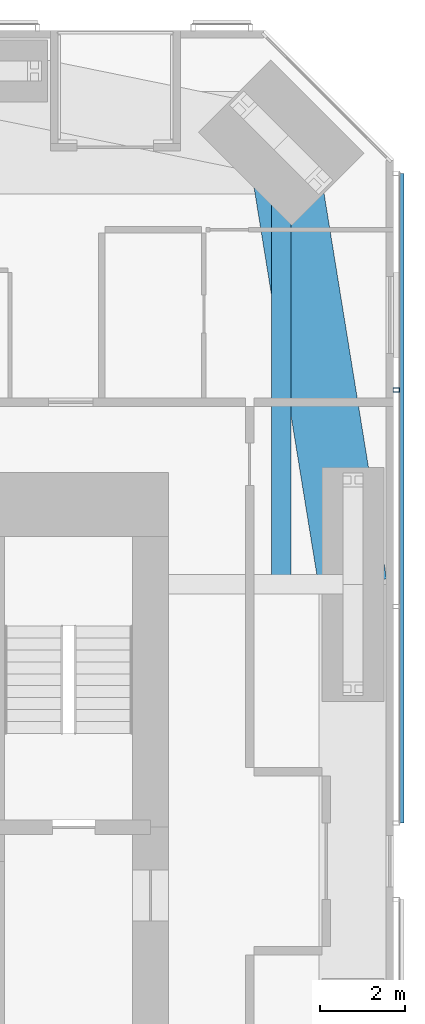
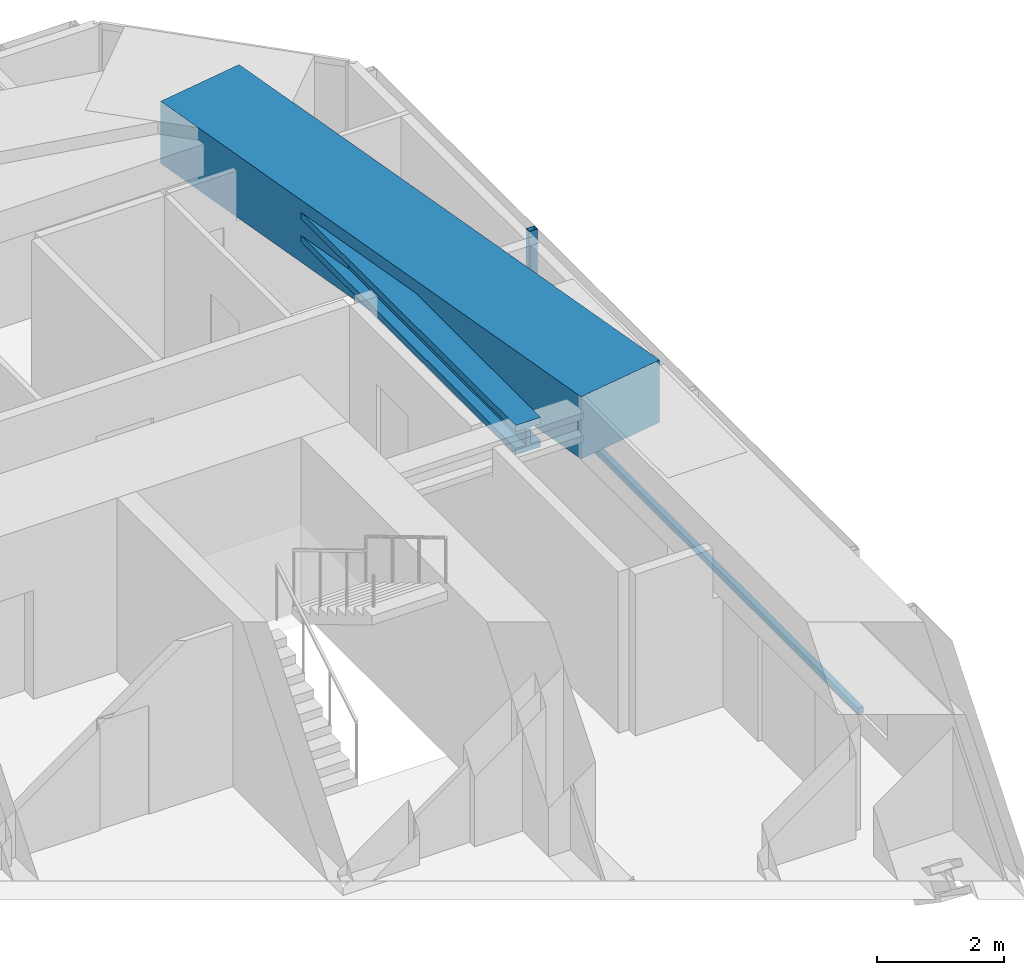
# One storey, part 11 of 25: 2 beams, 2 members, 1 element without a shape of its own.
"""IFC4 building model written with IfcOpenShell, lengths in metres."""

import ifcopenshell
import ifcopenshell.guid

model = None  # the IFC model being written
_history = None  # IfcOwnerHistory: only IFC2X3 demands one
_inside = {}  # id of a spatial element -> (the spatial element, [elements in it])
_under = {}  # id of a project, library or spatial element -> (it, [spatial elements below it])
_declared = {}  # id of a project -> (the project, [libraries it declares])
_typed = {}  # id of a type object -> (the type object, [elements of that type])
_made_of = {}  # id of a material, layer set ... -> (it, [elements and type objects made of it])


def new_model(schema):
    """Start an empty IFC model of exactly this schema.

    Asked for "IFC4X3", IfcOpenShell would pick the latest addendum, in which some entities
    have other attributes; the version numbers below select the first issue.
    IFC2X3 requires an IfcOwnerHistory on every rooted entity: one is made here for all.
    """
    global model, _history
    if schema == "IFC4X3":
        model = ifcopenshell.file(schema_version=(4, 3, 0, 0))
    else:
        model = ifcopenshell.file(schema=schema)
    _inside.clear()
    _under.clear()
    _declared.clear()
    _typed.clear()
    _made_of.clear()
    _history = None
    if model.schema == "IFC2X3":
        org = make("IfcOrganization", Name="unknown")
        user = make(
            "IfcPersonAndOrganization",
            ThePerson=make("IfcPerson", FamilyName="unknown"),
            TheOrganization=org,
        )
        app = make(
            "IfcApplication",
            ApplicationDeveloper=org,
            Version="unknown",
            ApplicationFullName="unknown",
            ApplicationIdentifier="unknown",
        )
        _history = make(
            "IfcOwnerHistory",
            OwningUser=user,
            OwningApplication=app,
            ChangeAction="ADDED",
            CreationDate=0,
        )
    return model


def make(cls, **values):
    """One entity of the class cls with the attributes given. An attribute that is None is left unset."""
    return model.create_entity(
        cls, **{name: value for name, value in values.items() if value is not None}
    )


def rooted(cls, **values):
    """An entity with a GlobalId (a new one), such as an element, a storey or a relation."""
    return make(cls, GlobalId=ifcopenshell.guid.new(), OwnerHistory=_history, **values)


def si_unit(unit_type, name, prefix=None):
    """IfcSIUnit, for example si_unit("LENGTHUNIT", "METRE", prefix="MILLI")."""
    return make("IfcSIUnit", UnitType=unit_type, Prefix=prefix, Name=name)


def assignment(units):
    """IfcUnitAssignment: the units of a project."""
    return None if units is None else make("IfcUnitAssignment", Units=units)


def point(xyz):
    """IfcCartesianPoint."""
    return None if xyz is None else make("IfcCartesianPoint", Coordinates=xyz)


def direction(xyz):
    """IfcDirection."""
    return None if xyz is None else make("IfcDirection", DirectionRatios=xyz)


def frame(location, z_axis=None, x_axis=None):
    """IfcAxis2Placement3D, a coordinate frame: its origin and axes. An axis left out is left unset."""
    return make(
        "IfcAxis2Placement3D",
        Location=point(location),
        Axis=direction(z_axis),
        RefDirection=direction(x_axis),
    )


def frame_2d(location, x_axis=None):
    """IfcAxis2Placement2D, a coordinate frame in the plane: its origin and x axis."""
    return make(
        "IfcAxis2Placement2D", Location=point(location), RefDirection=direction(x_axis)
    )


def origin():
    """The frame at (0, 0, 0) with its axes left unset."""
    return frame((0.0, 0.0, 0.0))


def origin_2d():
    """The frame at (0, 0) in the plane with its x axis left unset."""
    return frame_2d((0.0, 0.0))


def place(relative_to, where):
    """IfcLocalPlacement: puts the frame where relative to a parent placement (None: the world)."""
    return make(
        "IfcLocalPlacement", PlacementRelTo=relative_to, RelativePlacement=where
    )


def context(
    kind, dimensions, precision=None, world=None, true_north=None, identifier=None
):
    """IfcGeometricRepresentationContext, for example the 3D "Model" context."""
    return make(
        "IfcGeometricRepresentationContext",
        ContextIdentifier=identifier,
        ContextType=kind,
        CoordinateSpaceDimension=dimensions,
        Precision=precision,
        WorldCoordinateSystem=world,
        TrueNorth=true_north,
    )


def subcontext(parent, identifier, kind, view, scale=None):
    """IfcGeometricRepresentationSubContext, for example "Body" below "Model"."""
    return make(
        "IfcGeometricRepresentationSubContext",
        ContextIdentifier=identifier,
        ContextType=kind,
        ParentContext=parent,
        TargetScale=scale,
        TargetView=view,
    )


def project(units=None, contexts=None):
    """IfcProject with its units and contexts."""
    return rooted(
        "IfcProject",
        Name="project",
        RepresentationContexts=contexts,
        UnitsInContext=assignment(units),
    )


def spatial(cls, under=None, at=None, **own):
    """A site, building, storey or space (cls), placed at a placement, below another one or the project."""
    s = rooted(cls, ObjectPlacement=at, **own)
    if under is not None:
        _under.setdefault(under.id(), (under, []))[1].append(s)
    return s


def profile(cls, at=None, kind="AREA", **sizes):
    """A parametric profile (cls). Its sizes go by their IFC names, for example OverallWidth=200.0."""
    return make(cls, ProfileType=kind, Position=at, **sizes)


def rectangle(**sizes):
    """IfcRectangleProfileDef."""
    return profile("IfcRectangleProfileDef", **sizes)


def hollow_rectangle(**sizes):
    """IfcRectangleHollowProfileDef."""
    return profile("IfcRectangleHollowProfileDef", **sizes)


def i_section(**sizes):
    """IfcIShapeProfileDef."""
    return profile("IfcIShapeProfileDef", **sizes)


def extrude(swept, where, along, depth):
    """IfcExtrudedAreaSolid: the profile swept, set in the frame where, extruded along a direction by depth."""
    return make(
        "IfcExtrudedAreaSolid",
        SweptArea=swept,
        Position=where,
        ExtrudedDirection=direction(along),
        Depth=depth,
    )


def shape(context_of_items, identifier, shape_type, items):
    """IfcShapeRepresentation: the items that make up one representation, for example the "Body"."""
    return make(
        "IfcShapeRepresentation",
        ContextOfItems=context_of_items,
        RepresentationIdentifier=identifier,
        RepresentationType=shape_type,
        Items=items,
    )


def material(Name=None, Category=None):
    """IfcMaterial."""
    return make("IfcMaterial", Name=Name, Category=Category)


def material_profile(
    of_material, cross_section, Name=None, Category=None, Priority=None
):
    """IfcMaterialProfile: a cross section and its material."""
    return make(
        "IfcMaterialProfile",
        Name=Name,
        Material=of_material,
        Profile=cross_section,
        Priority=Priority,
        Category=Category,
    )


def profile_set(profiles, Name=None, composite=None):
    """IfcMaterialProfileSet."""
    return make(
        "IfcMaterialProfileSet",
        Name=Name,
        MaterialProfiles=profiles,
        CompositeProfile=composite,
    )


def made_of(thing, what):
    """Note that an element or type object is made of a material, layer set ...; save() writes the relation."""
    if what is not None:
        _made_of.setdefault(what.id(), (what, []))[1].append(thing)
    return thing


def type_object(cls, material=None, **own):
    """A type object (cls), such as IfcWallType, which elements share."""
    return made_of(rooted(cls, **own), material)


def element(
    cls,
    number,
    at=None,
    inside=None,
    cuts=None,
    type_object=None,
    material=None,
    context=None,
    identifier="Body",
    shape_type=None,
    held_by="IfcProductDefinitionShape",
    body=None,
    shapes=None,
    **own,
):
    """One element of the class cls, such as IfcWall. Its Tag is "e" and its number.

    at: its placement. inside: the storey or other place that contains it. cuts: it is an
    opening in that element (IfcRelVoidsElement). A single representation is given by context,
    identifier, shape_type and body (its items); several are given by shapes. held_by: the class
    of the entity that holds the representations. save() writes the other relations.
    """
    e = rooted(cls, Tag="e%d" % number, ObjectPlacement=at, **own)
    if body is not None:
        shapes = [shape(context, identifier, shape_type, body)]
    if shapes is not None:
        e.Representation = make(held_by, Representations=shapes)
    if inside is not None:
        _inside.setdefault(inside.id(), (inside, []))[1].append(e)
    if cuts is not None:
        rooted(
            "IfcRelVoidsElement", RelatingBuildingElement=cuts, RelatedOpeningElement=e
        )
    if type_object is not None:
        _typed.setdefault(type_object.id(), (type_object, []))[1].append(e)
    return made_of(e, material)


def aggregate(whole, parts):
    """IfcRelAggregates: a whole, such as a stair, and the parts it consists of."""
    return rooted("IfcRelAggregates", RelatingObject=whole, RelatedObjects=parts)


def save(model, path):
    """Write the relations noted so far, then the file.

    IfcRelAggregates (storeys below a building ...), IfcRelContainedInSpatialStructure (elements
    in a storey), IfcRelDefinesByType, IfcRelAssociatesMaterial and IfcRelDeclares: one each for
    every whole, place, type object, material and project.
    """
    for whole, parts in _under.values():
        aggregate(whole, parts)
    for where, things in _inside.values():
        rooted(
            "IfcRelContainedInSpatialStructure",
            RelatedElements=things,
            RelatingStructure=where,
        )
    for kind, things in _typed.values():
        rooted("IfcRelDefinesByType", RelatedObjects=things, RelatingType=kind)
    for what, things in _made_of.values():
        rooted("IfcRelAssociatesMaterial", RelatedObjects=things, RelatingMaterial=what)
    for by, libraries in _declared.values():
        rooted("IfcRelDeclares", RelatingContext=by, RelatedDefinitions=libraries)
    model.write(path)


model = new_model("IFC4")

# Units and contexts
model_context = context("Model", 3, precision=1e-05, world=origin(), true_north=direction((0.0, 1.0)))
body_context = subcontext(model_context, "Body", "Model", "MODEL_VIEW")
ifc_project = project(units=[si_unit("LENGTHUNIT", "METRE"), si_unit("AREAUNIT", "SQUARE_METRE"), si_unit("VOLUMEUNIT", "CUBIC_METRE"), si_unit("PLANEANGLEUNIT", "RADIAN"), si_unit("MASSUNIT", "GRAM", prefix="KILO")], contexts=[model_context])

# Site, building, storey
site_placement = place(None, origin())
site = spatial("IfcSite", under=ifc_project, at=site_placement, CompositionType="ELEMENT")
building_placement = place(site_placement, origin())
building = spatial("IfcBuilding", under=site, at=building_placement, Name="Jalousie Tower", CompositionType="ELEMENT")
storey_placement = place(building_placement, frame((0.0, 0.0, 98.14990234375)))
storey = spatial("IfcBuildingStorey", under=building, at=storey_placement, Name="L26", CompositionType="ELEMENT", Elevation=98.14990234375)

# Beams
ifc_material_1 = material(Name="Steel ASTM A992 Grade 50", Category="steel")
ifc_material_profile_1 = material_profile(ifc_material_1, i_section(OverallWidth=0.45458984375, OverallDepth=0.569091796875, WebThickness=0.077880859375, FlangeThickness=0.124755859375, at=origin_2d()), Name="W14X730")
ifc_profile_set_1 = profile_set([ifc_material_profile_1], Name="Steel ASTM A992 Grade 50")
beam_type_1 = type_object("IfcBeamType", Name="LEAN COLLECTOR W14X730", PredefinedType="BEAM", material=ifc_profile_set_1)
beam_1_placement = place(storey_placement, frame((46.86865234375, 35.36865234375, 2.82568359375), z_axis=(0.0, -1.0, 0.0), x_axis=(1.0, 0.0, 0.0)))
element("IfcBeam", 1, at=beam_1_placement, inside=storey, type_object=beam_type_1, Name="Lean collector under L27", PredefinedType="BEAM", context=body_context, shape_type="SweptSolid", body=[
    extrude(i_section(OverallWidth=0.45458984375, OverallDepth=0.569091796875, WebThickness=0.077880859375, FlangeThickness=0.124755859375, at=origin_2d()), origin(), (0.0, 0.0, 1.0), 10.36865234375),
])
ifc_material_2 = material(Name="Concrete f'c 40 MPa", Category="concrete")
ifc_material_profile_2 = material_profile(ifc_material_2, rectangle(XDim=1.60009765625, YDim=1.199951171875, at=origin_2d()), Name="RC 1600x1200")
ifc_profile_set_2 = profile_set([ifc_material_profile_2], Name="Concrete f'c 40 MPa")
beam_type_2 = type_object("IfcBeamType", Name="RC BEAM 1600x1200", PredefinedType="BEAM", material=ifc_profile_set_2)
beam_2_placement = place(storey_placement, frame((48.550048828125, 25.0, 2.75), z_axis=(-0.160070546476, 0.987105577003, 0.0), x_axis=(-0.987105577003, -0.160070546476, 0.0)))
element("IfcBeam", 2, at=beam_2_placement, inside=storey, type_object=beam_type_2, Name="Edge band beam 07-08 under L27", PredefinedType="BEAM", context=body_context, shape_type="SweptSolid", body=[
    extrude(rectangle(XDim=1.60009765625, YDim=1.199951171875, at=origin_2d()), origin(), (0.0, 0.0, 1.0), 10.504150390625),
])

# Curtain wall, members
ifc_material_3 = material(Name="Perforated aluminium sheet", Category="aluminium")
curtain_wall_type = type_object("IfcCurtainWallType", Name="SOLAR SCREEN SS-1", PredefinedType="USERDEFINED", material=ifc_material_3)
curtain_wall_placement = place(storey_placement, origin())
curtain_wall = element("IfcCurtainWall", 3, at=curtain_wall_placement, inside=storey, type_object=curtain_wall_type, Name="Solar screen L26", ObjectType="SOLAR SCREEN SS-1", PredefinedType="USERDEFINED")
ifc_material_4 = material(Name="Steel ASTM A500 Grade C", Category="steel")
ifc_material_profile_3 = material_profile(ifc_material_4, hollow_rectangle(XDim=0.1015625, YDim=0.15234375, WallThickness=0.00634765625, at=origin_2d()), Name="HSS6X4X1/4")
ifc_profile_set_3 = profile_set([ifc_material_profile_3], Name="Steel ASTM A500 Grade C")
member_type_1 = type_object("IfcMemberType", Name="SOLAR SCREEN SS-1 MULLION", PredefinedType="MULLION", material=ifc_profile_set_3)
member_1_placement = place(storey_placement, frame((49.5712890625, 29.56591796875, -0.119873046875), z_axis=(0.0, 0.0, 1.0), x_axis=(0.0, 1.0, 0.0)))
member_1 = element("IfcMember", 4, at=member_1_placement, type_object=member_type_1, Name="SS1 post 3", PredefinedType="MULLION", context=body_context, shape_type="SweptSolid", body=[
    extrude(hollow_rectangle(XDim=0.1015625, YDim=0.15234375, WallThickness=0.00634765625, at=origin_2d()), origin(), (0.0, 0.0, 1.0), 3.22998046875),
])
ifc_material_5 = material(Name="Extruded aluminium screen rail", Category="aluminium")
ifc_material_profile_4 = material_profile(ifc_material_5, rectangle(XDim=0.1015625, YDim=0.1201171875, at=origin_2d()), Name="RAIL 102x120")
ifc_profile_set_4 = profile_set([ifc_material_profile_4], Name="Extruded aluminium screen rail")
member_type_2 = type_object("IfcMemberType", Name="SOLAR SCREEN SS-1 TRANSOM", PredefinedType="USERDEFINED", material=ifc_profile_set_4)
member_2_placement = place(storey_placement, frame((49.6982421875, 19.39990234375, -0.059814453125), z_axis=(0.0, 1.0, 0.0), x_axis=(-1.0, 0.0, 0.0)))
member_2 = element("IfcMember", 5, at=member_2_placement, type_object=member_type_2, Name="SS1 rail", ObjectType="TRANSOM", PredefinedType="USERDEFINED", context=body_context, shape_type="SweptSolid", body=[
    extrude(rectangle(XDim=0.1015625, YDim=0.1201171875, at=origin_2d()), origin(), (0.0, 0.0, 1.0), 15.248779296875),
])
aggregate(curtain_wall, [member_1, member_2])

save(model, "model.ifc")
